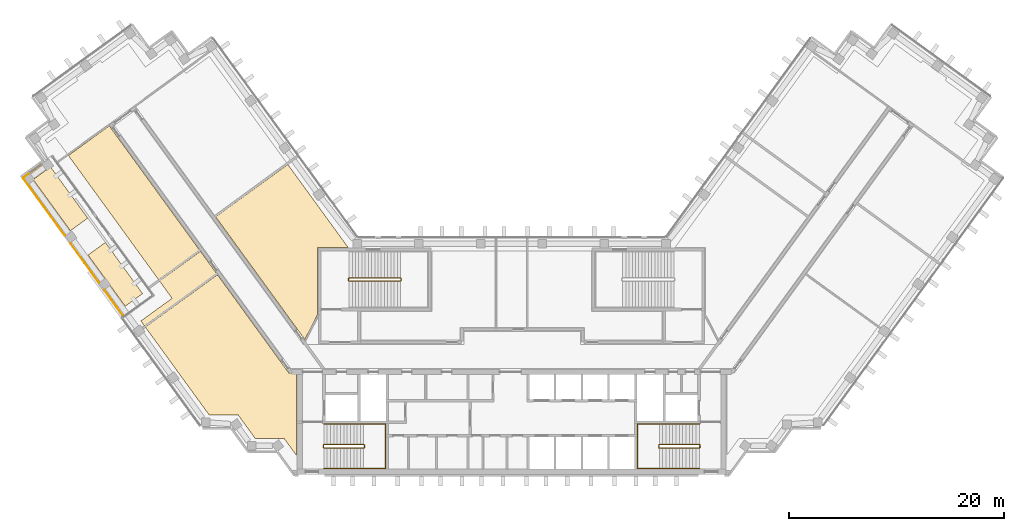
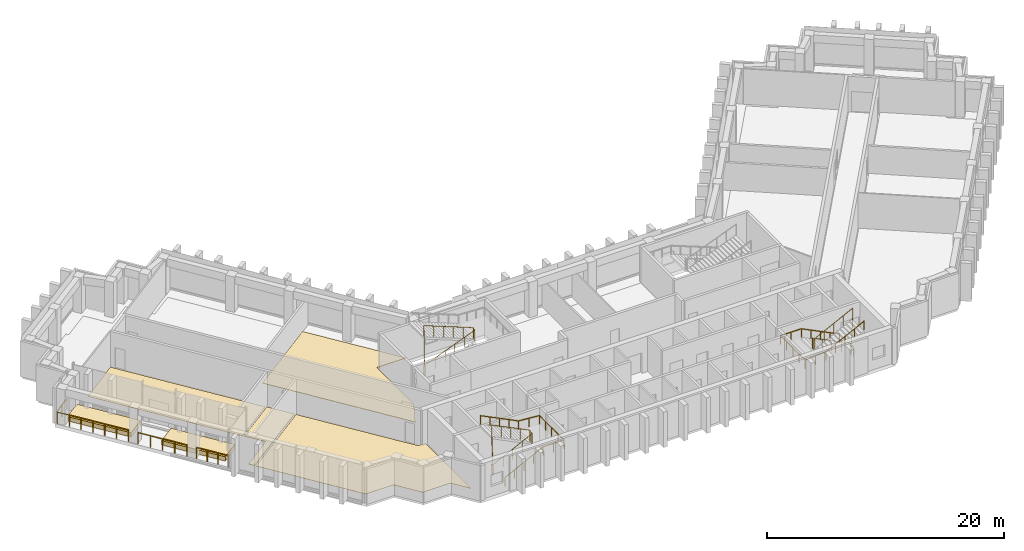
# One storey, part 11 of 12: 9 railings, 6 coverings.
"""IFC4 building model written with IfcOpenShell, lengths in metres."""

from ifc_helpers import new_model, si_unit, direction, frame, origin, origin_2d, place, context, subcontext, project, spatial, polyline, circle, outline, extrude, material, layer, layer_set, type_object, element, save


model = new_model("IFC4")

# Units and contexts
model_context = context("Model", 3, precision=1e-05, world=origin(), true_north=direction((0.0, 1.0)))
body_context = subcontext(model_context, "Body", "Model", "MODEL_VIEW")
ifc_project = project(units=[si_unit("LENGTHUNIT", "METRE"), si_unit("AREAUNIT", "SQUARE_METRE"), si_unit("VOLUMEUNIT", "CUBIC_METRE"), si_unit("PLANEANGLEUNIT", "RADIAN"), si_unit("MASSUNIT", "GRAM", prefix="KILO")], contexts=[model_context])

# Site, building, storey
site_placement = place(None, origin())
site = spatial("IfcSite", under=ifc_project, at=site_placement, CompositionType="ELEMENT")
building_placement = place(site_placement, origin())
building = spatial("IfcBuilding", under=site, at=building_placement, Name="Quipu Civic Tower", CompositionType="ELEMENT")
storey_placement = place(building_placement, frame((0.0, 0.0, 152.0)))
storey = spatial("IfcBuildingStorey", under=building, at=storey_placement, Name="L35", CompositionType="ELEMENT", Elevation=152.0)

# Coverings
ifc_material_1 = material(Name="Carpet tile on raised access floor")
ifc_layer_1 = layer(ifc_material_1, 0.02001953125)
ifc_layer_set_1 = layer_set([ifc_layer_1], Name="Carpet tile on raised access floor")
covering_type_1 = type_object("IfcCoveringType", Name="Carpet tile floor finish 20", PredefinedType="FLOORING", material=ifc_layer_set_1)
covering_1_placement = place(storey_placement, origin())
element("IfcCovering", 1, at=covering_1_placement, inside=storey, type_object=covering_type_1, Name="Carpet tile floor finish 20", PredefinedType="FLOORING", context=body_context, shape_type="SweptSolid", body=[
    extrude(outline(polyline([(-41.31005859375, 18.73193359375), (-37.4990234375, 21.5), (-29.0859375, 9.9189453125), (-32.89697265625, 7.15087890625), (-41.31005859375, 18.73193359375)])), origin(), (0.0, 0.0, 1.0), 0.02001953125),
])
ifc_material_2 = material(Name="Ceramic floor tile")
ifc_layer_2 = layer(ifc_material_2, 0.030029296875)
ifc_layer_set_2 = layer_set([ifc_layer_2], Name="Ceramic floor tile")
covering_type_2 = type_object("IfcCoveringType", Name="Ceramic tile floor finish 30", PredefinedType="FLOORING", material=ifc_layer_set_2)
covering_2_placement = place(storey_placement, origin())
element("IfcCovering", 2, at=covering_2_placement, inside=storey, type_object=covering_type_2, Name="Ceramic tile floor finish 30", PredefinedType="FLOORING", context=body_context, shape_type="SweptSolid", body=[
    extrude(outline(polyline([(-34.138916015625, 2.738037109375), (-27.416015625, 7.62109375), (-20.77490234375, -1.51904296875), (-20.070068359375, -1.52001953125), (-20.070068359375, -9.195068359375), (-21.196044921875, -7.64599609375), (-23.89501953125, -7.64599609375), (-25.48193359375, -5.4619140625), (-28.181884765625, -5.4609375), (-34.138916015625, 2.738037109375)])), origin(), (0.0, 0.0, 1.0), 0.030029296875),
])
ifc_material_3 = material(Name="Planting soil on drainage board")
ifc_layer_3 = layer(ifc_material_3, 0.449951171875)
ifc_layer_set_3 = layer_set([ifc_layer_3], Name="Planting soil on drainage board")
covering_type_3 = type_object("IfcCoveringType", Name="Planted terrace build-up", PredefinedType="FLOORING", material=ifc_layer_set_3)
covering_3_placement = place(storey_placement, origin())
element("IfcCovering", 3, at=covering_3_placement, inside=storey, type_object=covering_type_3, Name="Planted terrace L35 bed 1", PredefinedType="FLOORING", context=body_context, shape_type="SweptSolid", body=[
    extrude(outline(polyline([(-44.59228515625, 16.495361328125), (-42.974365234375, 17.6708984375), (-39.506103515625, 12.897216796875), (-41.124267578125, 11.7216796875), (-44.59228515625, 16.495361328125)])), origin(), (0.0, 0.0, 1.0), 0.449951171875),
])
covering_4_placement = place(storey_placement, origin())
element("IfcCovering", 4, at=covering_4_placement, inside=storey, type_object=covering_type_3, Name="Planted terrace L35 bed 2", PredefinedType="FLOORING", context=body_context, shape_type="SweptSolid", body=[
    extrude(outline(polyline([(-39.478515625, 9.45654296875), (-37.8603515625, 10.632080078125), (-34.392578125, 5.859130859375), (-36.0107421875, 4.68359375), (-39.478515625, 9.45654296875)])), origin(), (0.0, 0.0, 1.0), 0.449951171875),
])
ifc_material_4 = material(Name="Sealed cement screed")
ifc_layer_4 = layer(ifc_material_4, 0.050048828125)
ifc_layer_set_4 = layer_set([ifc_layer_4], Name="Sealed cement screed")
covering_type_4 = type_object("IfcCoveringType", Name="Sealed screed floor finish 50", PredefinedType="FLOORING", material=ifc_layer_set_4)
covering_5_placement = place(storey_placement, origin())
element("IfcCovering", 5, at=covering_5_placement, inside=storey, type_object=covering_type_4, Name="Sealed screed floor finish 50", PredefinedType="FLOORING", context=body_context, shape_type="SweptSolid", body=[
    extrude(outline(polyline([(-27.577880859375, 13.01708984375), (-20.85498046875, 17.90087890625), (-15.238037109375, 10.169921875), (-18.070068359375, 10.1689453125), (-18.070068359375, 3.94189453125), (-19.27197265625, 1.583984375), (-27.577880859375, 13.01708984375)])), origin(), (0.0, 0.0, 1.0), 0.050048828125),
])
covering_6_placement = place(storey_placement, origin())
element("IfcCovering", 6, at=covering_6_placement, inside=storey, type_object=covering_type_4, Name="Sealed screed floor finish 50", PredefinedType="FLOORING", context=body_context, shape_type="SweptSolid", body=[
    extrude(outline(polyline([(-34.552978515625, 3.30810546875), (-31.64208984375, 5.422119140625), (-32.81396484375, 7.037109375), (-29.0029296875, 9.805908203125), (-27.4990234375, 7.73388671875), (-34.221923828125, 2.85107421875), (-34.552978515625, 3.30810546875)])), origin(), (0.0, 0.0, 1.0), 0.050048828125),
])

# Railings
ifc_material_5 = material(Name="Stainless steel", Category="steel")
railing_type_1 = type_object("IfcRailingType", Name="Stair guard 1100", PredefinedType="GUARDRAIL", material=ifc_material_5)
railing_1_placement = place(storey_placement, frame((-17.5, -8.550048828125, 0.15380859375)))
element("IfcRailing", 7, at=railing_1_placement, inside=storey, type_object=railing_type_1, Name="Stair 1 guard", PredefinedType="GUARDRAIL", context=body_context, shape_type="SweptSolid", body=[
    extrude(circle(Radius=0.02392578125, at=origin_2d()), frame((0.0, 0.0, 1.076171875), z_axis=(0.895751851347, 0.0, 0.444554407028), x_axis=(0.0, 1.0, 0.0)), (0.0, 0.0, 1.0), 4.15283203125),
    extrude(circle(Radius=0.02392578125, at=origin_2d()), frame((3.719970703125, 0.0, 2.92236328125), z_axis=(0.707106781187, 0.707106781187, 0.0), x_axis=(-0.707106781187, 0.707106781187, 0.0)), (0.0, 0.0, 1.0), 0.07080078125),
    extrude(circle(Radius=0.02392578125, at=origin_2d()), frame((3.77001953125, 0.050048828125, 2.92236328125), z_axis=(0.0, 1.0, 0.0), x_axis=(-1.0, 0.0, 0.0)), (0.0, 0.0, 1.0), 0.25),
    extrude(circle(Radius=0.02392578125, at=origin_2d()), frame((3.77001953125, 0.300048828125, 2.92236328125), z_axis=(-0.295599637079, 0.295599637079, 0.908428152975), x_axis=(-0.707106781187, -0.707106781187, 0.0)), (0.0, 0.0, 1.0), 0.16943359375),
    extrude(circle(Radius=0.02392578125, at=origin_2d()), frame((3.719970703125, 0.35009765625, 3.076171875), z_axis=(-0.895751851347, 0.0, 0.444554407028), x_axis=(0.0, -1.0, 0.0)), (0.0, 0.0, 1.0), 4.15283203125),
    extrude(circle(Radius=0.02392578125, at=origin_2d()), frame((0.0, 0.35009765625, 4.92236328125), z_axis=(-0.012476181752, -0.074796231092, -0.997120789425), x_axis=(0.986372223864, -0.164529134168, 0.0)), (0.0, 0.0, 1.0), 4.011474609375),
    extrude(circle(Radius=0.02392578125, at=origin_2d()), frame((-0.050048828125, 0.050048828125, 0.92236328125), z_axis=(0.0, 1.0, 0.0), x_axis=(-1.0, 0.0, 0.0)), (0.0, 0.0, 1.0), 0.25),
    extrude(circle(Radius=0.02099609375, at=origin_2d()), origin(), (0.0, 0.0, 1.0), 1.052001953125),
    extrude(circle(Radius=0.02099609375, at=origin_2d()), frame((0.929931640625, 0.0, 0.46142578125)), (0.0, 0.0, 1.0), 1.052001953125),
    extrude(circle(Radius=0.02099609375, at=origin_2d()), frame((1.85986328125, 0.0, 0.923095703125)), (0.0, 0.0, 1.0), 1.052001953125),
    extrude(circle(Radius=0.02099609375, at=origin_2d()), frame((2.7900390625, 0.0, 1.384765625)), (0.0, 0.0, 1.0), 1.052001953125),
    extrude(circle(Radius=0.02099609375, at=origin_2d()), frame((3.719970703125, 0.0, 1.84619140625)), (0.0, 0.0, 1.0), 1.052001953125),
    extrude(circle(Radius=0.02099609375, at=origin_2d()), frame((3.77001953125, 0.050048828125, 1.84619140625)), (0.0, 0.0, 1.0), 1.052001953125),
    extrude(circle(Radius=0.02099609375, at=origin_2d()), frame((3.77001953125, 0.300048828125, 1.84619140625)), (0.0, 0.0, 1.0), 1.052001953125),
    extrude(circle(Radius=0.02099609375, at=origin_2d()), frame((3.719970703125, 0.35009765625, 2.0)), (0.0, 0.0, 1.0), 1.052001953125),
    extrude(circle(Radius=0.02099609375, at=origin_2d()), frame((2.7900390625, 0.35009765625, 2.46142578125)), (0.0, 0.0, 1.0), 1.052001953125),
    extrude(circle(Radius=0.02099609375, at=origin_2d()), frame((1.85986328125, 0.35009765625, 2.923095703125)), (0.0, 0.0, 1.0), 1.052001953125),
    extrude(circle(Radius=0.02099609375, at=origin_2d()), frame((0.929931640625, 0.35009765625, 3.384765625)), (0.0, 0.0, 1.0), 1.052001953125),
    extrude(circle(Radius=0.02099609375, at=origin_2d()), frame((0.0, 0.35009765625, 3.84619140625)), (0.0, 0.0, 1.0), 1.052001953125),
    extrude(circle(Radius=0.02099609375, at=origin_2d()), frame((-0.012451171875, 0.275146484375, 2.84619140625)), (0.0, 0.0, 1.0), 1.052001953125),
    extrude(circle(Radius=0.02099609375, at=origin_2d()), frame((-0.02490234375, 0.2001953125, 1.84619140625)), (0.0, 0.0, 1.0), 1.052001953125),
    extrude(circle(Radius=0.02099609375, at=origin_2d()), frame((-0.03759765625, 0.125, 0.84619140625)), (0.0, 0.0, 1.0), 1.052001953125),
    extrude(circle(Radius=0.02099609375, at=origin_2d()), frame((-0.050048828125, 0.050048828125, -0.15380859375)), (0.0, 0.0, 1.0), 1.052001953125),
    extrude(circle(Radius=0.02099609375, at=origin_2d()), frame((-0.050048828125, 0.300048828125, -0.15380859375)), (0.0, 0.0, 1.0), 1.052001953125),
])
railing_2_placement = place(storey_placement, frame((17.5, -8.199951171875, 0.15380859375)))
element("IfcRailing", 8, at=railing_2_placement, inside=storey, type_object=railing_type_1, Name="Stair 2 guard", PredefinedType="GUARDRAIL", context=body_context, shape_type="SweptSolid", body=[
    extrude(circle(Radius=0.02392578125, at=origin_2d()), frame((0.0, 0.0, 1.076171875), z_axis=(-0.895751851347, 0.0, 0.444554407028), x_axis=(0.0, -1.0, 0.0)), (0.0, 0.0, 1.0), 4.15283203125),
    extrude(circle(Radius=0.02392578125, at=origin_2d()), frame((-3.719970703125, 0.0, 2.92236328125), z_axis=(-0.707106781187, -0.707106781187, 0.0), x_axis=(0.707106781187, -0.707106781187, 0.0)), (0.0, 0.0, 1.0), 0.07080078125),
    extrude(circle(Radius=0.02392578125, at=origin_2d()), frame((-3.77001953125, -0.050048828125, 2.92236328125), z_axis=(0.0, -1.0, 0.0), x_axis=(1.0, 0.0, 0.0)), (0.0, 0.0, 1.0), 0.25),
    extrude(circle(Radius=0.02392578125, at=origin_2d()), frame((-3.77001953125, -0.300048828125, 2.92236328125), z_axis=(0.295599637079, -0.295599637079, 0.908428152975), x_axis=(0.707106781187, 0.707106781187, 0.0)), (0.0, 0.0, 1.0), 0.16943359375),
    extrude(circle(Radius=0.02392578125, at=origin_2d()), frame((-3.719970703125, -0.35009765625, 3.076171875), z_axis=(0.895751851347, 0.0, 0.444554407028), x_axis=(0.0, 1.0, 0.0)), (0.0, 0.0, 1.0), 4.15283203125),
    extrude(circle(Radius=0.02392578125, at=origin_2d()), frame((0.0, -0.35009765625, 4.92236328125), z_axis=(0.012476181752, 0.074796231092, -0.997120789425), x_axis=(-0.986372223864, 0.164529134168, 0.0)), (0.0, 0.0, 1.0), 4.011474609375),
    extrude(circle(Radius=0.02392578125, at=origin_2d()), frame((0.050048828125, -0.050048828125, 0.92236328125), z_axis=(0.0, -1.0, 0.0), x_axis=(1.0, 0.0, 0.0)), (0.0, 0.0, 1.0), 0.25),
    extrude(circle(Radius=0.02099609375, at=origin_2d()), origin(), (0.0, 0.0, 1.0), 1.052001953125),
    extrude(circle(Radius=0.02099609375, at=origin_2d()), frame((-0.929931640625, 0.0, 0.46142578125)), (0.0, 0.0, 1.0), 1.052001953125),
    extrude(circle(Radius=0.02099609375, at=origin_2d()), frame((-1.85986328125, 0.0, 0.923095703125)), (0.0, 0.0, 1.0), 1.052001953125),
    extrude(circle(Radius=0.02099609375, at=origin_2d()), frame((-2.7900390625, 0.0, 1.384765625)), (0.0, 0.0, 1.0), 1.052001953125),
    extrude(circle(Radius=0.02099609375, at=origin_2d()), frame((-3.719970703125, 0.0, 1.84619140625)), (0.0, 0.0, 1.0), 1.052001953125),
    extrude(circle(Radius=0.02099609375, at=origin_2d()), frame((-3.77001953125, -0.050048828125, 1.84619140625)), (0.0, 0.0, 1.0), 1.052001953125),
    extrude(circle(Radius=0.02099609375, at=origin_2d()), frame((-3.77001953125, -0.300048828125, 1.84619140625)), (0.0, 0.0, 1.0), 1.052001953125),
    extrude(circle(Radius=0.02099609375, at=origin_2d()), frame((-3.719970703125, -0.35009765625, 2.0)), (0.0, 0.0, 1.0), 1.052001953125),
    extrude(circle(Radius=0.02099609375, at=origin_2d()), frame((-2.7900390625, -0.35009765625, 2.46142578125)), (0.0, 0.0, 1.0), 1.052001953125),
    extrude(circle(Radius=0.02099609375, at=origin_2d()), frame((-1.85986328125, -0.35009765625, 2.923095703125)), (0.0, 0.0, 1.0), 1.052001953125),
    extrude(circle(Radius=0.02099609375, at=origin_2d()), frame((-0.929931640625, -0.35009765625, 3.384765625)), (0.0, 0.0, 1.0), 1.052001953125),
    extrude(circle(Radius=0.02099609375, at=origin_2d()), frame((0.0, -0.35009765625, 3.84619140625)), (0.0, 0.0, 1.0), 1.052001953125),
    extrude(circle(Radius=0.02099609375, at=origin_2d()), frame((0.012451171875, -0.275146484375, 2.84619140625)), (0.0, 0.0, 1.0), 1.052001953125),
    extrude(circle(Radius=0.02099609375, at=origin_2d()), frame((0.02490234375, -0.2001953125, 1.84619140625)), (0.0, 0.0, 1.0), 1.052001953125),
    extrude(circle(Radius=0.02099609375, at=origin_2d()), frame((0.03759765625, -0.125, 0.84619140625)), (0.0, 0.0, 1.0), 1.052001953125),
    extrude(circle(Radius=0.02099609375, at=origin_2d()), frame((0.050048828125, -0.050048828125, -0.15380859375)), (0.0, 0.0, 1.0), 1.052001953125),
    extrude(circle(Radius=0.02099609375, at=origin_2d()), frame((0.050048828125, -0.300048828125, -0.15380859375)), (0.0, 0.0, 1.0), 1.052001953125),
])
railing_3_placement = place(storey_placement, frame((-15.14990234375, 7.050048828125, 0.11767578125)))
element("IfcRailing", 9, at=railing_3_placement, inside=storey, type_object=railing_type_1, Name="Stair 3 guard", PredefinedType="GUARDRAIL", context=body_context, shape_type="SweptSolid", body=[
    extrude(circle(Radius=0.02392578125, at=origin_2d()), frame((0.0, 0.0, 1.076171875), z_axis=(0.930970042603, 0.0, 0.365095576219), x_axis=(0.0, 1.0, 0.0)), (0.0, 0.0, 1.0), 5.15576171875),
    extrude(circle(Radius=0.02392578125, at=origin_2d()), frame((4.7998046875, 0.0, 2.95849609375), z_axis=(0.707106781187, 0.707106781187, 0.0), x_axis=(-0.707106781187, 0.707106781187, 0.0)), (0.0, 0.0, 1.0), 0.07080078125),
    extrude(circle(Radius=0.02392578125, at=origin_2d()), frame((4.849853515625, 0.050048828125, 2.95849609375), z_axis=(0.0, 1.0, 0.0), x_axis=(-1.0, 0.0, 0.0)), (0.0, 0.0, 1.0), 0.14990234375),
    extrude(circle(Radius=0.02392578125, at=origin_2d()), frame((4.849853515625, 0.199951171875, 2.95849609375), z_axis=(-0.364463019033, 0.364463019033, 0.856932561824), x_axis=(-0.707106781187, -0.707106781187, 0.0)), (0.0, 0.0, 1.0), 0.13720703125),
    extrude(circle(Radius=0.02392578125, at=origin_2d()), frame((4.7998046875, 0.25, 3.076171875), z_axis=(-0.930970042603, 0.0, 0.365095576219), x_axis=(0.0, -1.0, 0.0)), (0.0, 0.0, 1.0), 5.15576171875),
    extrude(circle(Radius=0.02392578125, at=origin_2d()), frame((0.0, 0.25, 4.95849609375), z_axis=(-0.012495627992, -0.049921557685, -0.998674970829), x_axis=(0.970072785993, -0.242814311512, 0.0)), (0.0, 0.0, 1.0), 4.00537109375),
    extrude(circle(Radius=0.02392578125, at=origin_2d()), frame((-0.050048828125, 0.050048828125, 0.95849609375), z_axis=(0.0, 1.0, 0.0), x_axis=(-1.0, 0.0, 0.0)), (0.0, 0.0, 1.0), 0.14990234375),
    extrude(circle(Radius=0.02099609375, at=origin_2d()), origin(), (0.0, 0.0, 1.0), 1.052001953125),
    extrude(circle(Radius=0.02099609375, at=origin_2d()), frame((0.9599609375, 0.0, 0.37646484375)), (0.0, 0.0, 1.0), 1.052001953125),
    extrude(circle(Radius=0.02099609375, at=origin_2d()), frame((1.919921875, 0.0, 0.7529296875)), (0.0, 0.0, 1.0), 1.052001953125),
    extrude(circle(Radius=0.02099609375, at=origin_2d()), frame((2.8798828125, 0.0, 1.12939453125)), (0.0, 0.0, 1.0), 1.052001953125),
    extrude(circle(Radius=0.02099609375, at=origin_2d()), frame((3.83984375, 0.0, 1.505859375)), (0.0, 0.0, 1.0), 1.052001953125),
    extrude(circle(Radius=0.02099609375, at=origin_2d()), frame((4.7998046875, 0.0, 1.88232421875)), (0.0, 0.0, 1.0), 1.052001953125),
    extrude(circle(Radius=0.02099609375, at=origin_2d()), frame((4.849853515625, 0.050048828125, 1.88232421875)), (0.0, 0.0, 1.0), 1.052001953125),
    extrude(circle(Radius=0.02099609375, at=origin_2d()), frame((4.849853515625, 0.199951171875, 1.88232421875)), (0.0, 0.0, 1.0), 1.052001953125),
    extrude(circle(Radius=0.02099609375, at=origin_2d()), frame((4.7998046875, 0.25, 2.0)), (0.0, 0.0, 1.0), 1.052001953125),
    extrude(circle(Radius=0.02099609375, at=origin_2d()), frame((3.83984375, 0.25, 2.37646484375)), (0.0, 0.0, 1.0), 1.052001953125),
    extrude(circle(Radius=0.02099609375, at=origin_2d()), frame((2.8798828125, 0.25, 2.7529296875)), (0.0, 0.0, 1.0), 1.052001953125),
    extrude(circle(Radius=0.02099609375, at=origin_2d()), frame((1.919921875, 0.25, 3.12939453125)), (0.0, 0.0, 1.0), 1.052001953125),
    extrude(circle(Radius=0.02099609375, at=origin_2d()), frame((0.9599609375, 0.25, 3.505859375)), (0.0, 0.0, 1.0), 1.052001953125),
    extrude(circle(Radius=0.02099609375, at=origin_2d()), frame((0.0, 0.25, 3.88232421875)), (0.0, 0.0, 1.0), 1.052001953125),
    extrude(circle(Radius=0.02099609375, at=origin_2d()), frame((-0.012451171875, 0.199951171875, 2.88232421875)), (0.0, 0.0, 1.0), 1.052001953125),
    extrude(circle(Radius=0.02099609375, at=origin_2d()), frame((-0.02490234375, 0.14990234375, 1.88232421875)), (0.0, 0.0, 1.0), 1.052001953125),
    extrude(circle(Radius=0.02099609375, at=origin_2d()), frame((-0.03759765625, 0.10009765625, 0.88232421875)), (0.0, 0.0, 1.0), 1.052001953125),
    extrude(circle(Radius=0.02099609375, at=origin_2d()), frame((-0.050048828125, 0.050048828125, -0.11767578125)), (0.0, 0.0, 1.0), 1.052001953125),
    extrude(circle(Radius=0.02099609375, at=origin_2d()), frame((-0.050048828125, 0.199951171875, -0.11767578125)), (0.0, 0.0, 1.0), 1.052001953125),
])
ifc_material_6 = material(Name="Stainless steel", Category="steel")
railing_type_2 = type_object("IfcRailingType", Name="Stair handrail", PredefinedType="HANDRAIL", material=ifc_material_6)
railing_4_placement = place(storey_placement, frame((-17.5, -10.449951171875, 0.15380859375)))
element("IfcRailing", 10, at=railing_4_placement, inside=storey, type_object=railing_type_2, Name="Stair 1 handrail", PredefinedType="HANDRAIL", context=body_context, shape_type="SweptSolid", body=[
    extrude(circle(Radius=0.02392578125, at=origin_2d()), frame((0.0, 0.0, 0.8759765625), z_axis=(0.895751851347, 0.0, 0.444554407028), x_axis=(0.0, 1.0, 0.0)), (0.0, 0.0, 1.0), 4.15283203125),
    extrude(circle(Radius=0.02392578125, at=origin_2d()), frame((3.719970703125, 0.0, 2.72216796875), z_axis=(1.0, 0.0, 0.0), x_axis=(0.0, 1.0, 0.0)), (0.0, 0.0, 1.0), 2.030029296875),
    extrude(circle(Radius=0.02392578125, at=origin_2d()), frame((5.75, 0.0, 2.72216796875), z_axis=(0.0, 1.0, 0.0), x_axis=(-1.0, 0.0, 0.0)), (0.0, 0.0, 1.0), 4.14990234375),
    extrude(circle(Radius=0.02392578125, at=origin_2d()), frame((5.75, 4.14990234375, 2.72216796875), z_axis=(-0.997142003663, 0.0, 0.075550145798), x_axis=(0.0, -1.0, 0.0)), (0.0, 0.0, 1.0), 2.035888671875),
    extrude(circle(Radius=0.02392578125, at=origin_2d()), frame((3.719970703125, 4.14990234375, 2.8759765625), z_axis=(-0.895751851347, 0.0, 0.444554407028), x_axis=(0.0, -1.0, 0.0)), (0.0, 0.0, 1.0), 4.15283203125),
    extrude(circle(Radius=0.02099609375, at=origin_2d()), origin(), (0.0, 0.0, 1.0), 0.851806640625),
    extrude(circle(Radius=0.02099609375, at=origin_2d()), frame((0.929931640625, 0.0, 0.46142578125)), (0.0, 0.0, 1.0), 0.851806640625),
    extrude(circle(Radius=0.02099609375, at=origin_2d()), frame((1.85986328125, 0.0, 0.923095703125)), (0.0, 0.0, 1.0), 0.851806640625),
    extrude(circle(Radius=0.02099609375, at=origin_2d()), frame((2.7900390625, 0.0, 1.384765625)), (0.0, 0.0, 1.0), 0.851806640625),
    extrude(circle(Radius=0.02099609375, at=origin_2d()), frame((3.719970703125, 0.0, 1.84619140625)), (0.0, 0.0, 1.0), 0.851806640625),
    extrude(circle(Radius=0.02099609375, at=origin_2d()), frame((4.73486328125, 0.0, 1.84619140625)), (0.0, 0.0, 1.0), 0.851806640625),
    extrude(circle(Radius=0.02099609375, at=origin_2d()), frame((5.75, 0.0, 1.84619140625)), (0.0, 0.0, 1.0), 0.851806640625),
    extrude(circle(Radius=0.02099609375, at=origin_2d()), frame((5.75, 1.03759765625, 1.84619140625)), (0.0, 0.0, 1.0), 0.851806640625),
    extrude(circle(Radius=0.02099609375, at=origin_2d()), frame((5.75, 2.074951171875, 1.84619140625)), (0.0, 0.0, 1.0), 0.851806640625),
    extrude(circle(Radius=0.02099609375, at=origin_2d()), frame((5.75, 3.1123046875, 1.84619140625)), (0.0, 0.0, 1.0), 0.851806640625),
    extrude(circle(Radius=0.02099609375, at=origin_2d()), frame((5.75, 4.14990234375, 1.84619140625)), (0.0, 0.0, 1.0), 0.851806640625),
    extrude(circle(Radius=0.02099609375, at=origin_2d()), frame((4.73486328125, 4.14990234375, 1.923095703125)), (0.0, 0.0, 1.0), 0.851806640625),
    extrude(circle(Radius=0.02099609375, at=origin_2d()), frame((3.719970703125, 4.14990234375, 2.0)), (0.0, 0.0, 1.0), 0.851806640625),
    extrude(circle(Radius=0.02099609375, at=origin_2d()), frame((2.7900390625, 4.14990234375, 2.46142578125)), (0.0, 0.0, 1.0), 0.851806640625),
    extrude(circle(Radius=0.02099609375, at=origin_2d()), frame((1.85986328125, 4.14990234375, 2.923095703125)), (0.0, 0.0, 1.0), 0.851806640625),
    extrude(circle(Radius=0.02099609375, at=origin_2d()), frame((0.929931640625, 4.14990234375, 3.384765625)), (0.0, 0.0, 1.0), 0.851806640625),
    extrude(circle(Radius=0.02099609375, at=origin_2d()), frame((0.0, 4.14990234375, 3.84619140625)), (0.0, 0.0, 1.0), 0.851806640625),
])
railing_5_placement = place(storey_placement, frame((17.5, -6.300048828125, 0.15380859375)))
element("IfcRailing", 11, at=railing_5_placement, inside=storey, type_object=railing_type_2, Name="Stair 2 handrail", PredefinedType="HANDRAIL", context=body_context, shape_type="SweptSolid", body=[
    extrude(circle(Radius=0.02392578125, at=origin_2d()), frame((0.0, 0.0, 0.8759765625), z_axis=(-0.895751851347, 0.0, 0.444554407028), x_axis=(0.0, -1.0, 0.0)), (0.0, 0.0, 1.0), 4.15283203125),
    extrude(circle(Radius=0.02392578125, at=origin_2d()), frame((-3.719970703125, 0.0, 2.72216796875), z_axis=(-1.0, 0.0, 0.0), x_axis=(0.0, -1.0, 0.0)), (0.0, 0.0, 1.0), 2.030029296875),
    extrude(circle(Radius=0.02392578125, at=origin_2d()), frame((-5.75, 0.0, 2.72216796875), z_axis=(0.0, -1.0, 0.0), x_axis=(1.0, 0.0, 0.0)), (0.0, 0.0, 1.0), 4.14990234375),
    extrude(circle(Radius=0.02392578125, at=origin_2d()), frame((-5.75, -4.14990234375, 2.72216796875), z_axis=(0.997142003663, 0.0, 0.075550145798), x_axis=(0.0, 1.0, 0.0)), (0.0, 0.0, 1.0), 2.035888671875),
    extrude(circle(Radius=0.02392578125, at=origin_2d()), frame((-3.719970703125, -4.14990234375, 2.8759765625), z_axis=(0.895751851347, 0.0, 0.444554407028), x_axis=(0.0, 1.0, 0.0)), (0.0, 0.0, 1.0), 4.15283203125),
    extrude(circle(Radius=0.02099609375, at=origin_2d()), origin(), (0.0, 0.0, 1.0), 0.851806640625),
    extrude(circle(Radius=0.02099609375, at=origin_2d()), frame((-0.929931640625, 0.0, 0.46142578125)), (0.0, 0.0, 1.0), 0.851806640625),
    extrude(circle(Radius=0.02099609375, at=origin_2d()), frame((-1.85986328125, 0.0, 0.923095703125)), (0.0, 0.0, 1.0), 0.851806640625),
    extrude(circle(Radius=0.02099609375, at=origin_2d()), frame((-2.7900390625, 0.0, 1.384765625)), (0.0, 0.0, 1.0), 0.851806640625),
    extrude(circle(Radius=0.02099609375, at=origin_2d()), frame((-3.719970703125, 0.0, 1.84619140625)), (0.0, 0.0, 1.0), 0.851806640625),
    extrude(circle(Radius=0.02099609375, at=origin_2d()), frame((-4.73486328125, 0.0, 1.84619140625)), (0.0, 0.0, 1.0), 0.851806640625),
    extrude(circle(Radius=0.02099609375, at=origin_2d()), frame((-5.75, 0.0, 1.84619140625)), (0.0, 0.0, 1.0), 0.851806640625),
    extrude(circle(Radius=0.02099609375, at=origin_2d()), frame((-5.75, -1.03759765625, 1.84619140625)), (0.0, 0.0, 1.0), 0.851806640625),
    extrude(circle(Radius=0.02099609375, at=origin_2d()), frame((-5.75, -2.074951171875, 1.84619140625)), (0.0, 0.0, 1.0), 0.851806640625),
    extrude(circle(Radius=0.02099609375, at=origin_2d()), frame((-5.75, -3.1123046875, 1.84619140625)), (0.0, 0.0, 1.0), 0.851806640625),
    extrude(circle(Radius=0.02099609375, at=origin_2d()), frame((-5.75, -4.14990234375, 1.84619140625)), (0.0, 0.0, 1.0), 0.851806640625),
    extrude(circle(Radius=0.02099609375, at=origin_2d()), frame((-4.73486328125, -4.14990234375, 1.923095703125)), (0.0, 0.0, 1.0), 0.851806640625),
    extrude(circle(Radius=0.02099609375, at=origin_2d()), frame((-3.719970703125, -4.14990234375, 2.0)), (0.0, 0.0, 1.0), 0.851806640625),
    extrude(circle(Radius=0.02099609375, at=origin_2d()), frame((-2.7900390625, -4.14990234375, 2.46142578125)), (0.0, 0.0, 1.0), 0.851806640625),
    extrude(circle(Radius=0.02099609375, at=origin_2d()), frame((-1.85986328125, -4.14990234375, 2.923095703125)), (0.0, 0.0, 1.0), 0.851806640625),
    extrude(circle(Radius=0.02099609375, at=origin_2d()), frame((-0.929931640625, -4.14990234375, 3.384765625)), (0.0, 0.0, 1.0), 0.851806640625),
    extrude(circle(Radius=0.02099609375, at=origin_2d()), frame((0.0, -4.14990234375, 3.84619140625)), (0.0, 0.0, 1.0), 0.851806640625),
])
ifc_material_7 = material(Name="Steel S275", Category="steel")
railing_type_3 = type_object("IfcRailingType", Name="Terrace guard G1", PredefinedType="GUARDRAIL", material=ifc_material_7)
railing_6_placement = place(storey_placement, frame((-43.819091796875, 17.897705078125, 0.0)))
element("IfcRailing", 12, at=railing_6_placement, inside=storey, type_object=railing_type_3, Name="Terrace guard L35.1", PredefinedType="GUARDRAIL", context=body_context, shape_type="SweptSolid", body=[
    extrude(circle(Radius=0.02490234375, at=origin_2d()), frame((0.0, 0.0, 1.1748046875), z_axis=(-0.808983206573, -0.587831754401, 0.0), x_axis=(0.587831754401, -0.808983206573, 0.0)), (0.0, 0.0, 1.0), 2.050048828125),
    extrude(circle(Radius=0.02490234375, at=origin_2d()), origin(), (0.0, 0.0, 1.0), 1.14990234375),
    extrude(circle(Radius=0.02490234375, at=origin_2d()), frame((-0.8291015625, -0.6025390625, 0.0)), (0.0, 0.0, 1.0), 1.14990234375),
    extrude(circle(Radius=0.02490234375, at=origin_2d()), frame((-1.658447265625, -1.205078125, 0.0)), (0.0, 0.0, 1.0), 1.14990234375),
])
railing_7_placement = place(storey_placement, frame((-45.4951171875, 16.580810546875, 0.0)))
element("IfcRailing", 13, at=railing_7_placement, inside=storey, type_object=railing_type_3, Name="Terrace guard L35.2", PredefinedType="GUARDRAIL", context=body_context, shape_type="SweptSolid", body=[
    extrude(circle(Radius=0.02490234375, at=origin_2d()), frame((0.0, 0.0, 1.1748046875), z_axis=(0.587797351114, -0.809008203928, 0.0), x_axis=(0.809008203928, 0.587797351114, 0.0)), (0.0, 0.0, 1.0), 6.5546875),
    extrude(circle(Radius=0.02490234375, at=origin_2d()), origin(), (0.0, 0.0, 1.0), 1.14990234375),
    extrude(circle(Radius=0.02490234375, at=origin_2d()), frame((0.64208984375, -0.8837890625, 0.0)), (0.0, 0.0, 1.0), 1.14990234375),
    extrude(circle(Radius=0.02490234375, at=origin_2d()), frame((1.2841796875, -1.767578125, 0.0)), (0.0, 0.0, 1.0), 1.14990234375),
    extrude(circle(Radius=0.02490234375, at=origin_2d()), frame((1.92626953125, -2.6513671875, 0.0)), (0.0, 0.0, 1.0), 1.14990234375),
    extrude(circle(Radius=0.02490234375, at=origin_2d()), frame((2.568603515625, -3.53515625, 0.0)), (0.0, 0.0, 1.0), 1.14990234375),
    extrude(circle(Radius=0.02490234375, at=origin_2d()), frame((3.210693359375, -4.4189453125, 0.0)), (0.0, 0.0, 1.0), 1.14990234375),
    extrude(circle(Radius=0.02490234375, at=origin_2d()), frame((3.852783203125, -5.302734375, 0.0)), (0.0, 0.0, 1.0), 1.14990234375),
])
railing_8_placement = place(storey_placement, frame((-41.113525390625, 10.550048828125, 0.0)))
element("IfcRailing", 14, at=railing_8_placement, inside=storey, type_object=railing_type_3, Name="Terrace guard L35.3", PredefinedType="GUARDRAIL", context=body_context, shape_type="SweptSolid", body=[
    extrude(circle(Radius=0.02490234375, at=origin_2d()), frame((0.0, 0.0, 1.1748046875), z_axis=(0.587813580995, -0.80899641161, 0.0), x_axis=(0.80899641161, 0.587813580995, 0.0)), (0.0, 0.0, 1.0), 4.500244140625),
    extrude(circle(Radius=0.02490234375, at=origin_2d()), origin(), (0.0, 0.0, 1.0), 1.14990234375),
    extrude(circle(Radius=0.02490234375, at=origin_2d()), frame((0.661376953125, -0.91015625, 0.0)), (0.0, 0.0, 1.0), 1.14990234375),
    extrude(circle(Radius=0.02490234375, at=origin_2d()), frame((1.32275390625, -1.8203125, 0.0)), (0.0, 0.0, 1.0), 1.14990234375),
    extrude(circle(Radius=0.02490234375, at=origin_2d()), frame((1.98388671875, -2.73046875, 0.0)), (0.0, 0.0, 1.0), 1.14990234375),
    extrude(circle(Radius=0.02490234375, at=origin_2d()), frame((2.645263671875, -3.640625, 0.0)), (0.0, 0.0, 1.0), 1.14990234375),
])
railing_9_placement = place(storey_placement, frame((-37.939453125, 6.18115234375, 0.0)))
element("IfcRailing", 15, at=railing_9_placement, inside=storey, type_object=railing_type_3, Name="Terrace guard L35.4", PredefinedType="GUARDRAIL", context=body_context, shape_type="SweptSolid", body=[
    extrude(circle(Radius=0.02490234375, at=origin_2d()), frame((0.0, 0.0, 1.1748046875), z_axis=(0.587821683402, -0.808990524371, 0.0), x_axis=(0.808990524371, 0.587821683402, 0.0)), (0.0, 0.0, 1.0), 2.945068359375),
    extrude(circle(Radius=0.02490234375, at=origin_2d()), origin(), (0.0, 0.0, 1.0), 1.14990234375),
    extrude(circle(Radius=0.02490234375, at=origin_2d()), frame((0.5771484375, -0.794189453125, 0.0)), (0.0, 0.0, 1.0), 1.14990234375),
    extrude(circle(Radius=0.02490234375, at=origin_2d()), frame((1.154052734375, -1.58837890625, 0.0)), (0.0, 0.0, 1.0), 1.14990234375),
    extrude(circle(Radius=0.02490234375, at=origin_2d()), frame((1.731201171875, -2.382568359375, 0.0)), (0.0, 0.0, 1.0), 1.14990234375),
])

save(model, "model.ifc")
